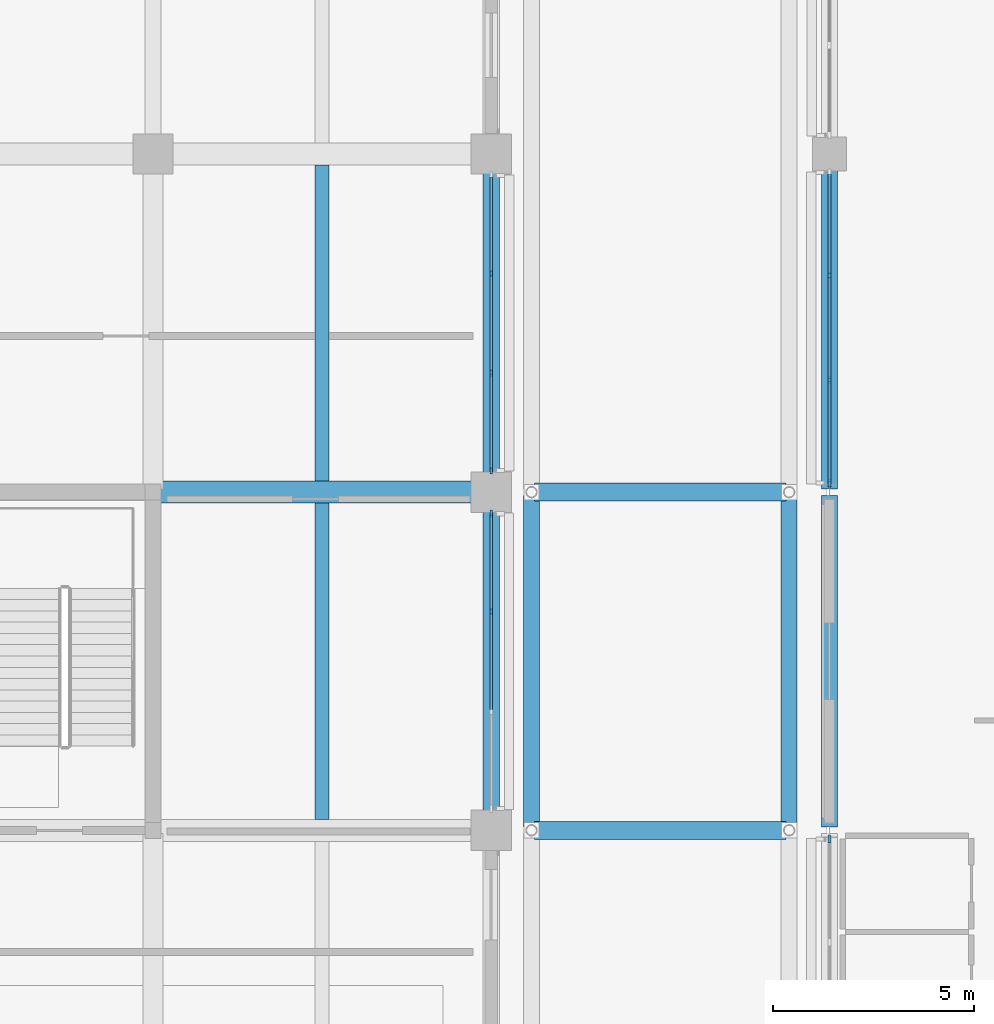
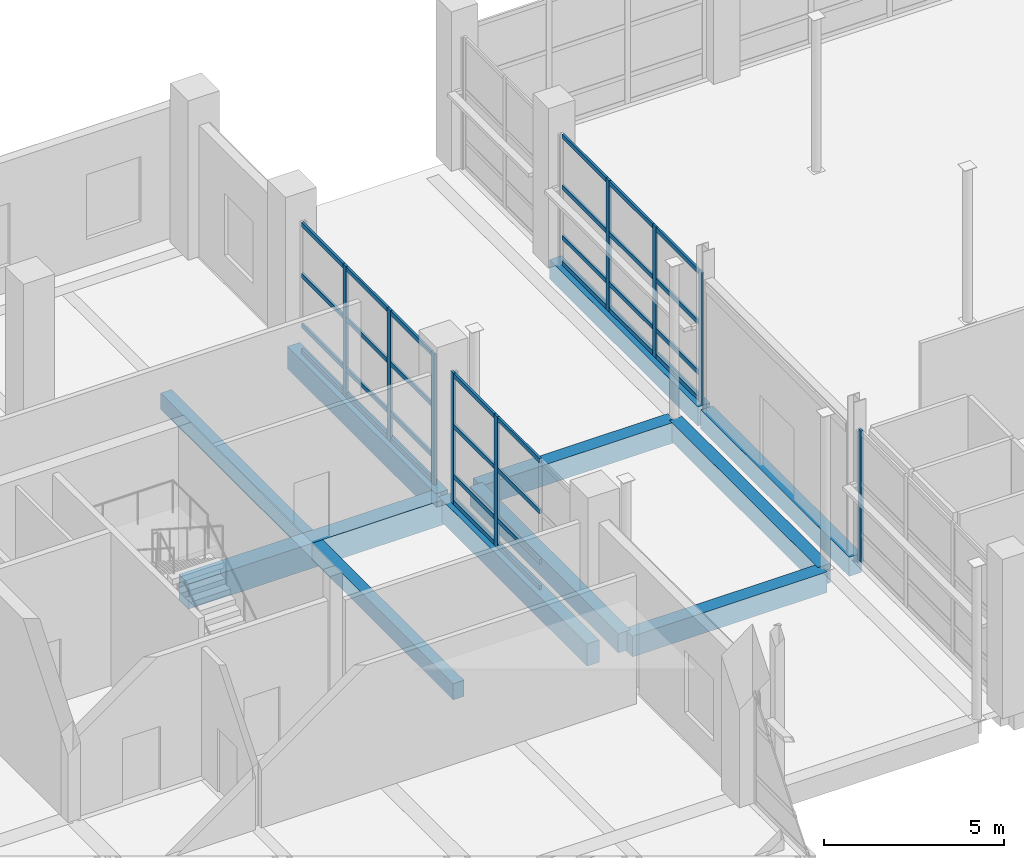
# One storey, part 32 of 140: 41 members, 11 beams, 4 elements without a shape of their own.
"""IFC4 building model written with IfcOpenShell, lengths in metres."""

from ifc_helpers import new_model, si_unit, direction, frame, origin, origin_2d, place, context, subcontext, project, spatial, rectangle, extrude, material, layer, layer_set, material_profile, profile_set, type_object, element, aggregate, save


model = new_model("IFC4")

# Units and contexts
model_context = context("Model", 3, precision=1e-05, world=origin(), true_north=direction((0.0, 1.0)))
body_context = subcontext(model_context, "Body", "Model", "MODEL_VIEW")
ifc_project = project(units=[si_unit("LENGTHUNIT", "METRE"), si_unit("AREAUNIT", "SQUARE_METRE"), si_unit("VOLUMEUNIT", "CUBIC_METRE"), si_unit("PLANEANGLEUNIT", "RADIAN"), si_unit("MASSUNIT", "GRAM", prefix="KILO")], contexts=[model_context])

# Site, building, storey
site_placement = place(None, origin())
site = spatial("IfcSite", under=ifc_project, at=site_placement, CompositionType="ELEMENT")
building_placement = place(site_placement, origin())
building = spatial("IfcBuilding", under=site, at=building_placement, Name="Telukmera Botanical Conservatory", CompositionType="ELEMENT")
storey_placement = place(building_placement, origin())
storey = spatial("IfcBuildingStorey", under=building, at=storey_placement, Name="L00", CompositionType="ELEMENT", Elevation=0.0)

# Beams
ifc_material_1 = material(Name="Concrete C40/50", Category="concrete")
ifc_material_profile_1 = material_profile(ifc_material_1, rectangle(XDim=0.449951171875, YDim=0.699951171875, at=origin_2d()), Name="RC 450x700")
ifc_profile_set_1 = profile_set([ifc_material_profile_1], Name="Concrete C40/50")
beam_type_1 = type_object("IfcBeamType", Name="Beam_B15", PredefinedType="BEAM", material=ifc_profile_set_1)
for number, where, z_axis, x_axis, name in (
    (1, (110.280029296875, 26.0, -0.35009765625), (1.0, 0.0, 0.0), (0.0, 1.0, 0.0), "East Link Deck Transverse Beam L00"),
    (2, (110.280029296875, 34.39990234375, -0.35009765625), (1.0, 0.0, 0.0), (0.0, 1.0, 0.0), "East Link Deck Transverse Beam L00"),
):
    element("IfcBeam", number, at=place(storey_placement, frame(where, z_axis=z_axis, x_axis=x_axis)), inside=storey, type_object=beam_type_1, Name=name, PredefinedType="BEAM", context=body_context, shape_type="SweptSolid", body=[
        extrude(rectangle(XDim=0.449951171875, YDim=0.699951171875, at=origin_2d()), origin(), (0.0, 0.0, 1.0), 6.239990234375),
    ])
ifc_material_profile_2 = material_profile(ifc_material_1, rectangle(XDim=0.35009765625, YDim=0.550048828125, at=origin_2d()), Name="RC 350x550")
ifc_profile_set_2 = profile_set([ifc_material_profile_2], Name="Concrete C40/50")
beam_type_2 = type_object("IfcBeamType", Name="Beam_B21", PredefinedType="JOIST", material=ifc_profile_set_2)
beam_1_placement = place(storey_placement, frame((105.0, 26.27490234375, -0.27490234375), z_axis=(0.0, 1.0, 0.0), x_axis=(-1.0, 0.0, 0.0)))
element("IfcBeam", 3, at=beam_1_placement, inside=storey, type_object=beam_type_2, Name="Tower Secondary Floor Joist L00", PredefinedType="JOIST", context=body_context, shape_type="SweptSolid", body=[
    extrude(rectangle(XDim=0.35009765625, YDim=0.550048828125, at=origin_2d()), origin(), (0.0, 0.0, 1.0), 7.85009765625),
])
beam_2_placement = place(storey_placement, frame((105.0, 34.675048828125, -0.27490234375), z_axis=(0.0, 1.0, 0.0), x_axis=(-1.0, 0.0, 0.0)))
element("IfcBeam", 4, at=beam_2_placement, inside=storey, type_object=beam_type_2, Name="Tower Secondary Floor Joist L00", PredefinedType="JOIST", context=body_context, shape_type="SweptSolid", body=[
    extrude(rectangle(XDim=0.35009765625, YDim=0.550048828125, at=origin_2d()), origin(), (0.0, 0.0, 1.0), 7.849853515625),
])
ifc_material_profile_3 = material_profile(ifc_material_1, rectangle(XDim=0.550048828125, YDim=0.85009765625, at=origin_2d()), Name="RC 550x850")
ifc_profile_set_3 = profile_set([ifc_material_profile_3], Name="Concrete C40/50")
beam_type_3 = type_object("IfcBeamType", Name="Beam_B4", PredefinedType="BEAM", material=ifc_profile_set_3)
beam_3_placement = place(storey_placement, frame((100.8798828125, 34.39990234375, -0.425048828125), z_axis=(1.0, 0.0, 0.0), x_axis=(0.0, 1.0, 0.0)))
element("IfcBeam", 5, at=beam_3_placement, inside=storey, type_object=beam_type_3, Name="Tower Grid Beam L00", PredefinedType="BEAM", context=body_context, shape_type="SweptSolid", body=[
    extrude(rectangle(XDim=0.550048828125, YDim=0.85009765625, at=origin_2d()), origin(), (0.0, 0.0, 1.0), 8.240234375),
])
ifc_material_profile_4 = material_profile(ifc_material_1, rectangle(XDim=0.39990234375, YDim=0.64990234375, at=origin_2d()), Name="RC 400x650")
ifc_profile_set_4 = profile_set([ifc_material_profile_4], Name="Concrete C40/50")
beam_type_4 = type_object("IfcBeamType", Name="Beam_B8", PredefinedType="BEAM", material=ifc_profile_set_4)
for number, where, z_axis, x_axis, name in (
    (6, (110.199951171875, 26.080078125, -0.324951171875), (0.0, 1.0, 0.0), (-1.0, 0.0, 0.0), "East Link Deck Girder L00"),
    (7, (116.60009765625, 26.080078125, -0.324951171875), (0.0, 1.0, 0.0), (-1.0, 0.0, 0.0), "East Link Deck Girder L00"),
    (8, (117.60009765625, 26.080078125, -0.324951171875), (0.0, 1.0, 0.0), (-1.0, 0.0, 0.0), "Conservatory Beam beam:V1:L00:gy:1176:260"),
    (9, (117.60009765625, 34.47998046875, -0.324951171875), (0.0, 1.0, 0.0), (-1.0, 0.0, 0.0), "Conservatory Beam beam:V1:L00:gy:1176:344"),
):
    element("IfcBeam", number, at=place(storey_placement, frame(where, z_axis=z_axis, x_axis=x_axis)), inside=storey, type_object=beam_type_4, Name=name, PredefinedType="BEAM", context=body_context, shape_type="SweptSolid", body=[
        extrude(rectangle(XDim=0.39990234375, YDim=0.64990234375, at=origin_2d()), origin(), (0.0, 0.0, 1.0), 8.239990234375),
    ])
ifc_material_2 = material(Name="Precast concrete C40/50", Category="concrete")
ifc_material_profile_5 = material_profile(ifc_material_2, rectangle(XDim=0.39990234375, YDim=0.75, at=origin_2d()), Name="PC 400x750")
ifc_profile_set_5 = profile_set([ifc_material_profile_5], Name="Precast concrete C40/50")
beam_type_5 = type_object("IfcBeamType", Name="Beam_SP1", PredefinedType="SPANDREL", material=ifc_profile_set_5)
for number, where, z_axis, x_axis, name in (
    (10, (109.199951171875, 26.080078125, -0.375), (0.0, 1.0, 0.0), (-1.0, 0.0, 0.0), "Tower Transverse Beam L00"),
    (11, (109.199951171875, 34.47998046875, -0.375), (0.0, 1.0, 0.0), (-1.0, 0.0, 0.0), "Tower Transverse Beam L00"),
):
    element("IfcBeam", number, at=place(storey_placement, frame(where, z_axis=z_axis, x_axis=x_axis)), inside=storey, type_object=beam_type_5, Name=name, PredefinedType="SPANDREL", context=body_context, shape_type="SweptSolid", body=[
        extrude(rectangle(XDim=0.39990234375, YDim=0.75, at=origin_2d()), origin(), (0.0, 0.0, 1.0), 8.239990234375),
    ])

# Curtain wall, member
ifc_material_3 = material(Name="Anodised aluminium 6063-T6", Category="aluminium")
ifc_layer_1 = layer(ifc_material_3, 0.179931640625)
ifc_layer_set_1 = layer_set([ifc_layer_1], Name="Anodised aluminium 6063-T6")
curtain_wall_type_1 = type_object("IfcCurtainWallType", Name="Conservatory Garden Unitised Curtain Wall 2800 Mod", PredefinedType="USERDEFINED", material=ifc_layer_set_1)
curtain_wall_1_placement = place(storey_placement, origin())
curtain_wall_1 = element("IfcCurtainWall", 12, at=curtain_wall_1_placement, inside=storey, type_object=curtain_wall_type_1, Name="Unitised Curtain Wall CW02 V1:L00:W1", ObjectType="UNITISED CURTAIN WALL", PredefinedType="USERDEFINED")
ifc_material_profile_6 = material_profile(ifc_material_3, rectangle(XDim=0.070068359375, YDim=0.179931640625, at=origin_2d()), Name="ALU MULL 70x180")
ifc_profile_set_6 = profile_set([ifc_material_profile_6], Name="Anodised aluminium 6063-T6")
member_type_1 = type_object("IfcMemberType", Name="Curtain Wall Extruded Mullion 70x180", PredefinedType="MULLION", material=ifc_profile_set_6)
member_1_placement = place(storey_placement, frame((117.60009765625, 25.77880859375, 0.0), z_axis=(0.0, 0.0, 1.0), x_axis=(-1.0, 0.0, 0.0)))
member_1 = element("IfcMember", 13, at=member_1_placement, type_object=member_type_1, Name="CW02 mullion 4", PredefinedType="MULLION", context=body_context, shape_type="SweptSolid", body=[
    extrude(rectangle(XDim=0.070068359375, YDim=0.179931640625, at=origin_2d()), origin(), (0.0, 0.0, 1.0), 4.449951171875),
])
aggregate(curtain_wall_1, [member_1])

# Curtain wall, members
curtain_wall_2_placement = place(storey_placement, origin())
curtain_wall_2 = element("IfcCurtainWall", 14, at=curtain_wall_2_placement, inside=storey, type_object=curtain_wall_type_1, Name="Unitised Curtain Wall CW02 V1:L00:W3", ObjectType="UNITISED CURTAIN WALL", PredefinedType="USERDEFINED")
member_2_placement = place(storey_placement, frame((117.60009765625, 34.62109375, 0.0), z_axis=(0.0, 0.0, 1.0), x_axis=(-1.0, 0.0, 0.0)))
member_2 = element("IfcMember", 15, at=member_2_placement, type_object=member_type_1, Name="CW02 mullion 1", PredefinedType="MULLION", context=body_context, shape_type="SweptSolid", body=[
    extrude(rectangle(XDim=0.070068359375, YDim=0.179931640625, at=origin_2d()), origin(), (0.0, 0.0, 1.0), 4.449951171875),
])
member_3_placement = place(storey_placement, frame((117.60009765625, 37.181640625, 0.0), z_axis=(0.0, 0.0, 1.0), x_axis=(-1.0, 0.0, 0.0)))
member_3 = element("IfcMember", 16, at=member_3_placement, type_object=member_type_1, Name="CW02 mullion 2", PredefinedType="MULLION", context=body_context, shape_type="SweptSolid", body=[
    extrude(rectangle(XDim=0.070068359375, YDim=0.179931640625, at=origin_2d()), origin(), (0.0, 0.0, 1.0), 4.449951171875),
])
member_4_placement = place(storey_placement, frame((117.60009765625, 39.77734375, 0.0), z_axis=(0.0, 0.0, 1.0), x_axis=(-1.0, 0.0, 0.0)))
member_4 = element("IfcMember", 17, at=member_4_placement, type_object=member_type_1, Name="CW02 mullion 3", PredefinedType="MULLION", context=body_context, shape_type="SweptSolid", body=[
    extrude(rectangle(XDim=0.070068359375, YDim=0.179931640625, at=origin_2d()), origin(), (0.0, 0.0, 1.0), 4.449951171875),
])

ifc_layer_2 = layer(ifc_material_3, 0.179931640625)
ifc_layer_set_2 = layer_set([ifc_layer_2], Name="Anodised aluminium 6063-T6")
curtain_wall_type_2 = type_object("IfcCurtainWallType", Name="Tower Boulevard Podium Hall Curtain Wall", PredefinedType="USERDEFINED", material=ifc_layer_set_2)
curtain_wall_3_placement = place(storey_placement, origin())
curtain_wall_3 = element("IfcCurtainWall", 18, at=curtain_wall_3_placement, inside=storey, type_object=curtain_wall_type_2, Name="Unitised Curtain Wall CW12 V4:L00:E3", ObjectType="UNITISED CURTAIN WALL", PredefinedType="USERDEFINED")
member_5_placement = place(storey_placement, frame((109.199951171875, 31.4326171875, 0.0), z_axis=(0.0, 0.0, 1.0), x_axis=(-1.0, 0.0, 0.0)))
member_5 = element("IfcMember", 19, at=member_5_placement, type_object=member_type_1, Name="CW12 mullion 3", PredefinedType="MULLION", context=body_context, shape_type="SweptSolid", body=[
    extrude(rectangle(XDim=0.070068359375, YDim=0.179931640625, at=origin_2d()), origin(), (0.0, 0.0, 1.0), 4.449951171875),
])
member_6_placement = place(storey_placement, frame((109.199951171875, 33.863037109375, 0.0), z_axis=(0.0, 0.0, 1.0), x_axis=(-1.0, 0.0, 0.0)))
member_6 = element("IfcMember", 20, at=member_6_placement, type_object=member_type_1, Name="CW12 mullion 4", PredefinedType="MULLION", context=body_context, shape_type="SweptSolid", body=[
    extrude(rectangle(XDim=0.070068359375, YDim=0.179931640625, at=origin_2d()), origin(), (0.0, 0.0, 1.0), 4.449951171875),
])

curtain_wall_4_placement = place(storey_placement, origin())
curtain_wall_4 = element("IfcCurtainWall", 21, at=curtain_wall_4_placement, inside=storey, type_object=curtain_wall_type_2, Name="Unitised Curtain Wall CW12 V4:L00:E4", ObjectType="UNITISED CURTAIN WALL", PredefinedType="USERDEFINED")
member_7_placement = place(storey_placement, frame((109.199951171875, 34.93701171875, 0.0), z_axis=(0.0, 0.0, 1.0), x_axis=(-1.0, 0.0, 0.0)))
member_7 = element("IfcMember", 22, at=member_7_placement, type_object=member_type_1, Name="CW12 mullion 1", PredefinedType="MULLION", context=body_context, shape_type="SweptSolid", body=[
    extrude(rectangle(XDim=0.070068359375, YDim=0.179931640625, at=origin_2d()), origin(), (0.0, 0.0, 1.0), 4.449951171875),
])
member_8_placement = place(storey_placement, frame((109.199951171875, 37.367431640625, 0.0), z_axis=(0.0, 0.0, 1.0), x_axis=(-1.0, 0.0, 0.0)))
member_8 = element("IfcMember", 23, at=member_8_placement, type_object=member_type_1, Name="CW12 mullion 2", PredefinedType="MULLION", context=body_context, shape_type="SweptSolid", body=[
    extrude(rectangle(XDim=0.070068359375, YDim=0.179931640625, at=origin_2d()), origin(), (0.0, 0.0, 1.0), 4.449951171875),
])
member_9_placement = place(storey_placement, frame((109.199951171875, 39.832763671875, 0.0), z_axis=(0.0, 0.0, 1.0), x_axis=(-1.0, 0.0, 0.0)))
member_9 = element("IfcMember", 24, at=member_9_placement, type_object=member_type_1, Name="CW12 mullion 3", PredefinedType="MULLION", context=body_context, shape_type="SweptSolid", body=[
    extrude(rectangle(XDim=0.070068359375, YDim=0.179931640625, at=origin_2d()), origin(), (0.0, 0.0, 1.0), 4.449951171875),
])

# Member
ifc_material_profile_7 = material_profile(ifc_material_3, rectangle(XDim=0.070068359375, YDim=0.14990234375, at=origin_2d()), Name="ALU TRAN 70x150")
ifc_profile_set_7 = profile_set([ifc_material_profile_7], Name="Anodised aluminium 6063-T6")
member_type_2 = type_object("IfcMemberType", Name="Curtain Wall Extruded Transom 70x150", PredefinedType="USERDEFINED", material=ifc_profile_set_7)
member_10_placement = place(storey_placement, frame((117.60009765625, 34.656005859375, 0.074951171875), z_axis=(0.0, 1.0, 0.0), x_axis=(-1.0, 0.0, 0.0)))
member_10 = element("IfcMember", 25, at=member_10_placement, type_object=member_type_2, Name="CW02 transom 1.1", ObjectType="TRANSOM", PredefinedType="USERDEFINED", context=body_context, shape_type="SweptSolid", body=[
    extrude(rectangle(XDim=0.070068359375, YDim=0.14990234375, at=origin_2d()), origin(), (0.0, 0.0, 1.0), 2.49072265625),
])

member_11_placement = place(storey_placement, frame((117.60009765625, 34.656005859375, 0.949951171875), z_axis=(0.0, 1.0, 0.0), x_axis=(-1.0, 0.0, 0.0)))
member_11 = element("IfcMember", 26, at=member_11_placement, type_object=member_type_2, Name="CW02 transom 1.2", ObjectType="TRANSOM", PredefinedType="USERDEFINED", context=body_context, shape_type="SweptSolid", body=[
    extrude(rectangle(XDim=0.070068359375, YDim=0.14990234375, at=origin_2d()), origin(), (0.0, 0.0, 1.0), 2.49072265625),
])

member_12_placement = place(storey_placement, frame((117.60009765625, 34.656005859375, 2.64990234375), z_axis=(0.0, 1.0, 0.0), x_axis=(-1.0, 0.0, 0.0)))
member_12 = element("IfcMember", 27, at=member_12_placement, type_object=member_type_2, Name="CW02 transom 1.3", ObjectType="TRANSOM", PredefinedType="USERDEFINED", context=body_context, shape_type="SweptSolid", body=[
    extrude(rectangle(XDim=0.070068359375, YDim=0.14990234375, at=origin_2d()), origin(), (0.0, 0.0, 1.0), 2.49072265625),
])

member_13_placement = place(storey_placement, frame((117.60009765625, 34.656005859375, 4.375), z_axis=(0.0, 1.0, 0.0), x_axis=(-1.0, 0.0, 0.0)))
member_13 = element("IfcMember", 28, at=member_13_placement, type_object=member_type_2, Name="CW02 transom 1.4", ObjectType="TRANSOM", PredefinedType="USERDEFINED", context=body_context, shape_type="SweptSolid", body=[
    extrude(rectangle(XDim=0.070068359375, YDim=0.14990234375, at=origin_2d()), origin(), (0.0, 0.0, 1.0), 2.49072265625),
])

member_14_placement = place(storey_placement, frame((117.60009765625, 37.216796875, 0.074951171875), z_axis=(0.0, 1.0, 0.0), x_axis=(-1.0, 0.0, 0.0)))
member_14 = element("IfcMember", 29, at=member_14_placement, type_object=member_type_2, Name="CW02 transom 2.1", ObjectType="TRANSOM", PredefinedType="USERDEFINED", context=body_context, shape_type="SweptSolid", body=[
    extrude(rectangle(XDim=0.070068359375, YDim=0.14990234375, at=origin_2d()), origin(), (0.0, 0.0, 1.0), 2.525634765625),
])

member_15_placement = place(storey_placement, frame((117.60009765625, 37.216796875, 0.949951171875), z_axis=(0.0, 1.0, 0.0), x_axis=(-1.0, 0.0, 0.0)))
member_15 = element("IfcMember", 30, at=member_15_placement, type_object=member_type_2, Name="CW02 transom 2.2", ObjectType="TRANSOM", PredefinedType="USERDEFINED", context=body_context, shape_type="SweptSolid", body=[
    extrude(rectangle(XDim=0.070068359375, YDim=0.14990234375, at=origin_2d()), origin(), (0.0, 0.0, 1.0), 2.525634765625),
])

member_16_placement = place(storey_placement, frame((117.60009765625, 37.216796875, 2.64990234375), z_axis=(0.0, 1.0, 0.0), x_axis=(-1.0, 0.0, 0.0)))
member_16 = element("IfcMember", 31, at=member_16_placement, type_object=member_type_2, Name="CW02 transom 2.3", ObjectType="TRANSOM", PredefinedType="USERDEFINED", context=body_context, shape_type="SweptSolid", body=[
    extrude(rectangle(XDim=0.070068359375, YDim=0.14990234375, at=origin_2d()), origin(), (0.0, 0.0, 1.0), 2.525634765625),
])

member_17_placement = place(storey_placement, frame((117.60009765625, 37.216796875, 4.375), z_axis=(0.0, 1.0, 0.0), x_axis=(-1.0, 0.0, 0.0)))
member_17 = element("IfcMember", 32, at=member_17_placement, type_object=member_type_2, Name="CW02 transom 2.4", ObjectType="TRANSOM", PredefinedType="USERDEFINED", context=body_context, shape_type="SweptSolid", body=[
    extrude(rectangle(XDim=0.070068359375, YDim=0.14990234375, at=origin_2d()), origin(), (0.0, 0.0, 1.0), 2.525634765625),
])

member_18_placement = place(storey_placement, frame((117.60009765625, 39.812255859375, 0.074951171875), z_axis=(0.0, 1.0, 0.0), x_axis=(-1.0, 0.0, 0.0)))
member_18 = element("IfcMember", 33, at=member_18_placement, type_object=member_type_2, Name="CW02 transom 3.1", ObjectType="TRANSOM", PredefinedType="USERDEFINED", context=body_context, shape_type="SweptSolid", body=[
    extrude(rectangle(XDim=0.070068359375, YDim=0.14990234375, at=origin_2d()), origin(), (0.0, 0.0, 1.0), 2.49072265625),
])

member_19_placement = place(storey_placement, frame((117.60009765625, 39.812255859375, 0.949951171875), z_axis=(0.0, 1.0, 0.0), x_axis=(-1.0, 0.0, 0.0)))
member_19 = element("IfcMember", 34, at=member_19_placement, type_object=member_type_2, Name="CW02 transom 3.2", ObjectType="TRANSOM", PredefinedType="USERDEFINED", context=body_context, shape_type="SweptSolid", body=[
    extrude(rectangle(XDim=0.070068359375, YDim=0.14990234375, at=origin_2d()), origin(), (0.0, 0.0, 1.0), 2.49072265625),
])

member_20_placement = place(storey_placement, frame((117.60009765625, 39.812255859375, 2.64990234375), z_axis=(0.0, 1.0, 0.0), x_axis=(-1.0, 0.0, 0.0)))
member_20 = element("IfcMember", 35, at=member_20_placement, type_object=member_type_2, Name="CW02 transom 3.3", ObjectType="TRANSOM", PredefinedType="USERDEFINED", context=body_context, shape_type="SweptSolid", body=[
    extrude(rectangle(XDim=0.070068359375, YDim=0.14990234375, at=origin_2d()), origin(), (0.0, 0.0, 1.0), 2.49072265625),
])

member_21_placement = place(storey_placement, frame((117.60009765625, 39.812255859375, 4.375), z_axis=(0.0, 1.0, 0.0), x_axis=(-1.0, 0.0, 0.0)))
member_21 = element("IfcMember", 36, at=member_21_placement, type_object=member_type_2, Name="CW02 transom 3.4", ObjectType="TRANSOM", PredefinedType="USERDEFINED", context=body_context, shape_type="SweptSolid", body=[
    extrude(rectangle(XDim=0.070068359375, YDim=0.14990234375, at=origin_2d()), origin(), (0.0, 0.0, 1.0), 2.49072265625),
])

aggregate(curtain_wall_2, [member_2, member_3, member_4, member_10, member_11, member_12, member_13, member_14, member_15, member_16, member_17, member_18, member_19, member_20, member_21])

member_22_placement = place(storey_placement, frame((109.199951171875, 29.00244140625, 0.074951171875), z_axis=(0.0, 1.0, 0.0), x_axis=(-1.0, 0.0, 0.0)))
member_22 = element("IfcMember", 37, at=member_22_placement, type_object=member_type_2, Name="CW12 transom 2.1", ObjectType="TRANSOM", PredefinedType="USERDEFINED", context=body_context, shape_type="SweptSolid", body=[
    extrude(rectangle(XDim=0.070068359375, YDim=0.14990234375, at=origin_2d()), origin(), (0.0, 0.0, 1.0), 2.395263671875),
])

member_23_placement = place(storey_placement, frame((109.199951171875, 29.00244140625, 0.949951171875), z_axis=(0.0, 1.0, 0.0), x_axis=(-1.0, 0.0, 0.0)))
member_23 = element("IfcMember", 38, at=member_23_placement, type_object=member_type_2, Name="CW12 transom 2.2", ObjectType="TRANSOM", PredefinedType="USERDEFINED", context=body_context, shape_type="SweptSolid", body=[
    extrude(rectangle(XDim=0.070068359375, YDim=0.14990234375, at=origin_2d()), origin(), (0.0, 0.0, 1.0), 2.395263671875),
])

member_24_placement = place(storey_placement, frame((109.199951171875, 29.00244140625, 2.64990234375), z_axis=(0.0, 1.0, 0.0), x_axis=(-1.0, 0.0, 0.0)))
member_24 = element("IfcMember", 39, at=member_24_placement, type_object=member_type_2, Name="CW12 transom 2.3", ObjectType="TRANSOM", PredefinedType="USERDEFINED", context=body_context, shape_type="SweptSolid", body=[
    extrude(rectangle(XDim=0.070068359375, YDim=0.14990234375, at=origin_2d()), origin(), (0.0, 0.0, 1.0), 2.395263671875),
])

member_25_placement = place(storey_placement, frame((109.199951171875, 29.00244140625, 4.375), z_axis=(0.0, 1.0, 0.0), x_axis=(-1.0, 0.0, 0.0)))
member_25 = element("IfcMember", 40, at=member_25_placement, type_object=member_type_2, Name="CW12 transom 2.4", ObjectType="TRANSOM", PredefinedType="USERDEFINED", context=body_context, shape_type="SweptSolid", body=[
    extrude(rectangle(XDim=0.070068359375, YDim=0.14990234375, at=origin_2d()), origin(), (0.0, 0.0, 1.0), 2.395263671875),
])

member_26_placement = place(storey_placement, frame((109.199951171875, 31.4677734375, 0.074951171875), z_axis=(0.0, 1.0, 0.0), x_axis=(-1.0, 0.0, 0.0)))
member_26 = element("IfcMember", 41, at=member_26_placement, type_object=member_type_2, Name="CW12 transom 3.1", ObjectType="TRANSOM", PredefinedType="USERDEFINED", context=body_context, shape_type="SweptSolid", body=[
    extrude(rectangle(XDim=0.070068359375, YDim=0.14990234375, at=origin_2d()), origin(), (0.0, 0.0, 1.0), 2.360107421875),
])

member_27_placement = place(storey_placement, frame((109.199951171875, 31.4677734375, 0.949951171875), z_axis=(0.0, 1.0, 0.0), x_axis=(-1.0, 0.0, 0.0)))
member_27 = element("IfcMember", 42, at=member_27_placement, type_object=member_type_2, Name="CW12 transom 3.2", ObjectType="TRANSOM", PredefinedType="USERDEFINED", context=body_context, shape_type="SweptSolid", body=[
    extrude(rectangle(XDim=0.070068359375, YDim=0.14990234375, at=origin_2d()), origin(), (0.0, 0.0, 1.0), 2.360107421875),
])

member_28_placement = place(storey_placement, frame((109.199951171875, 31.4677734375, 2.64990234375), z_axis=(0.0, 1.0, 0.0), x_axis=(-1.0, 0.0, 0.0)))
member_28 = element("IfcMember", 43, at=member_28_placement, type_object=member_type_2, Name="CW12 transom 3.3", ObjectType="TRANSOM", PredefinedType="USERDEFINED", context=body_context, shape_type="SweptSolid", body=[
    extrude(rectangle(XDim=0.070068359375, YDim=0.14990234375, at=origin_2d()), origin(), (0.0, 0.0, 1.0), 2.360107421875),
])

member_29_placement = place(storey_placement, frame((109.199951171875, 31.4677734375, 4.375), z_axis=(0.0, 1.0, 0.0), x_axis=(-1.0, 0.0, 0.0)))
member_29 = element("IfcMember", 44, at=member_29_placement, type_object=member_type_2, Name="CW12 transom 3.4", ObjectType="TRANSOM", PredefinedType="USERDEFINED", context=body_context, shape_type="SweptSolid", body=[
    extrude(rectangle(XDim=0.070068359375, YDim=0.14990234375, at=origin_2d()), origin(), (0.0, 0.0, 1.0), 2.360107421875),
])

aggregate(curtain_wall_3, [member_5, member_6, member_22, member_23, member_24, member_25, member_26, member_27, member_28, member_29])

member_30_placement = place(storey_placement, frame((109.199951171875, 34.971923828125, 0.074951171875), z_axis=(0.0, 1.0, 0.0), x_axis=(-1.0, 0.0, 0.0)))
member_30 = element("IfcMember", 45, at=member_30_placement, type_object=member_type_2, Name="CW12 transom 1.1", ObjectType="TRANSOM", PredefinedType="USERDEFINED", context=body_context, shape_type="SweptSolid", body=[
    extrude(rectangle(XDim=0.070068359375, YDim=0.14990234375, at=origin_2d()), origin(), (0.0, 0.0, 1.0), 2.3603515625),
])

member_31_placement = place(storey_placement, frame((109.199951171875, 34.971923828125, 0.949951171875), z_axis=(0.0, 1.0, 0.0), x_axis=(-1.0, 0.0, 0.0)))
member_31 = element("IfcMember", 46, at=member_31_placement, type_object=member_type_2, Name="CW12 transom 1.2", ObjectType="TRANSOM", PredefinedType="USERDEFINED", context=body_context, shape_type="SweptSolid", body=[
    extrude(rectangle(XDim=0.070068359375, YDim=0.14990234375, at=origin_2d()), origin(), (0.0, 0.0, 1.0), 2.3603515625),
])

member_32_placement = place(storey_placement, frame((109.199951171875, 34.971923828125, 2.64990234375), z_axis=(0.0, 1.0, 0.0), x_axis=(-1.0, 0.0, 0.0)))
member_32 = element("IfcMember", 47, at=member_32_placement, type_object=member_type_2, Name="CW12 transom 1.3", ObjectType="TRANSOM", PredefinedType="USERDEFINED", context=body_context, shape_type="SweptSolid", body=[
    extrude(rectangle(XDim=0.070068359375, YDim=0.14990234375, at=origin_2d()), origin(), (0.0, 0.0, 1.0), 2.3603515625),
])

member_33_placement = place(storey_placement, frame((109.199951171875, 34.971923828125, 4.375), z_axis=(0.0, 1.0, 0.0), x_axis=(-1.0, 0.0, 0.0)))
member_33 = element("IfcMember", 48, at=member_33_placement, type_object=member_type_2, Name="CW12 transom 1.4", ObjectType="TRANSOM", PredefinedType="USERDEFINED", context=body_context, shape_type="SweptSolid", body=[
    extrude(rectangle(XDim=0.070068359375, YDim=0.14990234375, at=origin_2d()), origin(), (0.0, 0.0, 1.0), 2.3603515625),
])

member_34_placement = place(storey_placement, frame((109.199951171875, 37.40234375, 0.074951171875), z_axis=(0.0, 1.0, 0.0), x_axis=(-1.0, 0.0, 0.0)))
member_34 = element("IfcMember", 49, at=member_34_placement, type_object=member_type_2, Name="CW12 transom 2.1", ObjectType="TRANSOM", PredefinedType="USERDEFINED", context=body_context, shape_type="SweptSolid", body=[
    extrude(rectangle(XDim=0.070068359375, YDim=0.14990234375, at=origin_2d()), origin(), (0.0, 0.0, 1.0), 2.395263671875),
])

member_35_placement = place(storey_placement, frame((109.199951171875, 37.40234375, 0.949951171875), z_axis=(0.0, 1.0, 0.0), x_axis=(-1.0, 0.0, 0.0)))
member_35 = element("IfcMember", 50, at=member_35_placement, type_object=member_type_2, Name="CW12 transom 2.2", ObjectType="TRANSOM", PredefinedType="USERDEFINED", context=body_context, shape_type="SweptSolid", body=[
    extrude(rectangle(XDim=0.070068359375, YDim=0.14990234375, at=origin_2d()), origin(), (0.0, 0.0, 1.0), 2.395263671875),
])

member_36_placement = place(storey_placement, frame((109.199951171875, 37.40234375, 2.64990234375), z_axis=(0.0, 1.0, 0.0), x_axis=(-1.0, 0.0, 0.0)))
member_36 = element("IfcMember", 51, at=member_36_placement, type_object=member_type_2, Name="CW12 transom 2.3", ObjectType="TRANSOM", PredefinedType="USERDEFINED", context=body_context, shape_type="SweptSolid", body=[
    extrude(rectangle(XDim=0.070068359375, YDim=0.14990234375, at=origin_2d()), origin(), (0.0, 0.0, 1.0), 2.395263671875),
])

member_37_placement = place(storey_placement, frame((109.199951171875, 37.40234375, 4.375), z_axis=(0.0, 1.0, 0.0), x_axis=(-1.0, 0.0, 0.0)))
member_37 = element("IfcMember", 52, at=member_37_placement, type_object=member_type_2, Name="CW12 transom 2.4", ObjectType="TRANSOM", PredefinedType="USERDEFINED", context=body_context, shape_type="SweptSolid", body=[
    extrude(rectangle(XDim=0.070068359375, YDim=0.14990234375, at=origin_2d()), origin(), (0.0, 0.0, 1.0), 2.395263671875),
])

member_38_placement = place(storey_placement, frame((109.199951171875, 39.86767578125, 0.074951171875), z_axis=(0.0, 1.0, 0.0), x_axis=(-1.0, 0.0, 0.0)))
member_38 = element("IfcMember", 53, at=member_38_placement, type_object=member_type_2, Name="CW12 transom 3.1", ObjectType="TRANSOM", PredefinedType="USERDEFINED", context=body_context, shape_type="SweptSolid", body=[
    extrude(rectangle(XDim=0.070068359375, YDim=0.14990234375, at=origin_2d()), origin(), (0.0, 0.0, 1.0), 2.3603515625),
])

member_39_placement = place(storey_placement, frame((109.199951171875, 39.86767578125, 0.949951171875), z_axis=(0.0, 1.0, 0.0), x_axis=(-1.0, 0.0, 0.0)))
member_39 = element("IfcMember", 54, at=member_39_placement, type_object=member_type_2, Name="CW12 transom 3.2", ObjectType="TRANSOM", PredefinedType="USERDEFINED", context=body_context, shape_type="SweptSolid", body=[
    extrude(rectangle(XDim=0.070068359375, YDim=0.14990234375, at=origin_2d()), origin(), (0.0, 0.0, 1.0), 2.3603515625),
])

member_40_placement = place(storey_placement, frame((109.199951171875, 39.86767578125, 2.64990234375), z_axis=(0.0, 1.0, 0.0), x_axis=(-1.0, 0.0, 0.0)))
member_40 = element("IfcMember", 55, at=member_40_placement, type_object=member_type_2, Name="CW12 transom 3.3", ObjectType="TRANSOM", PredefinedType="USERDEFINED", context=body_context, shape_type="SweptSolid", body=[
    extrude(rectangle(XDim=0.070068359375, YDim=0.14990234375, at=origin_2d()), origin(), (0.0, 0.0, 1.0), 2.3603515625),
])

member_41_placement = place(storey_placement, frame((109.199951171875, 39.86767578125, 4.375), z_axis=(0.0, 1.0, 0.0), x_axis=(-1.0, 0.0, 0.0)))
member_41 = element("IfcMember", 56, at=member_41_placement, type_object=member_type_2, Name="CW12 transom 3.4", ObjectType="TRANSOM", PredefinedType="USERDEFINED", context=body_context, shape_type="SweptSolid", body=[
    extrude(rectangle(XDim=0.070068359375, YDim=0.14990234375, at=origin_2d()), origin(), (0.0, 0.0, 1.0), 2.3603515625),
])

aggregate(curtain_wall_4, [member_7, member_8, member_9, member_30, member_31, member_32, member_33, member_34, member_35, member_36, member_37, member_38, member_39, member_40, member_41])

save(model, "model.ifc")
